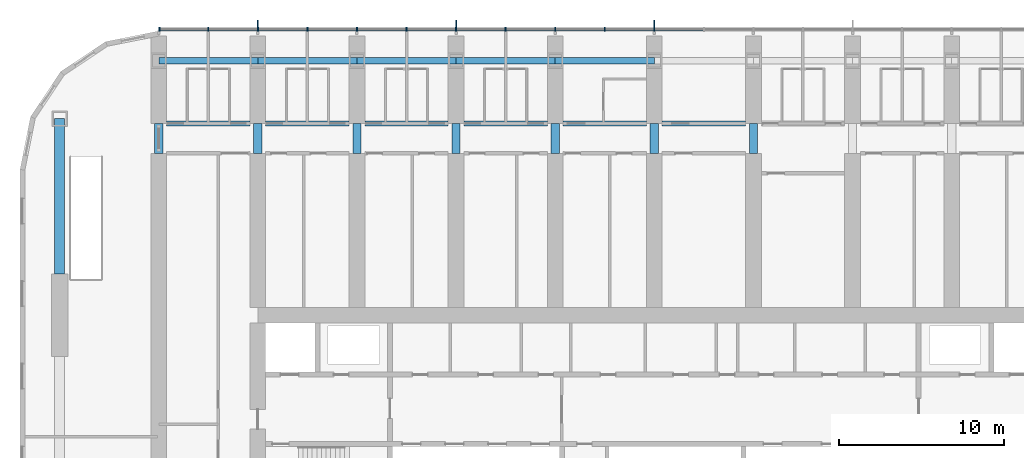
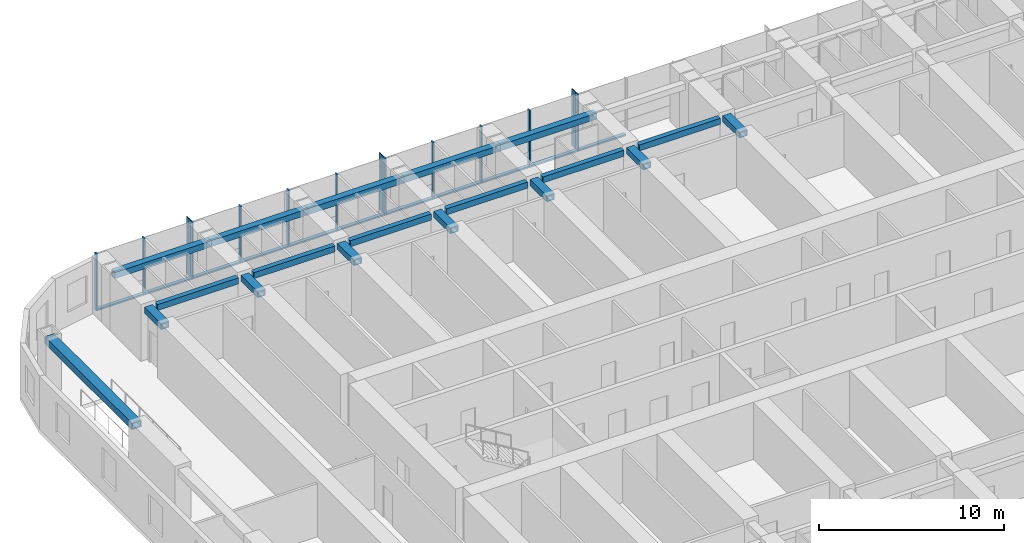
# One storey, part 4 of 22: 25 members, 19 beams, 1 element without a shape of its own.
"""IFC4 building model written with IfcOpenShell, lengths in metres."""

from ifc_helpers import new_model, si_unit, direction, frame, origin, origin_2d, place, context, subcontext, project, spatial, rectangle, hollow_rectangle, extrude, material, material_profile, profile_set, type_object, element, aggregate, save


model = new_model("IFC4")

# Units and contexts
model_context = context("Model", 3, precision=1e-05, world=origin(), true_north=direction((0.0, 1.0)))
body_context = subcontext(model_context, "Body", "Model", "MODEL_VIEW")
ifc_project = project(units=[si_unit("LENGTHUNIT", "METRE"), si_unit("AREAUNIT", "SQUARE_METRE"), si_unit("VOLUMEUNIT", "CUBIC_METRE"), si_unit("PLANEANGLEUNIT", "RADIAN"), si_unit("MASSUNIT", "GRAM", prefix="KILO")], contexts=[model_context])

# Site, building, storey
site_placement = place(None, origin())
site = spatial("IfcSite", under=ifc_project, at=site_placement, CompositionType="ELEMENT")
building_placement = place(site_placement, origin())
building = spatial("IfcBuilding", under=site, at=building_placement, Name="Orbita Commons", CompositionType="ELEMENT")
storey_placement = place(building_placement, frame((0.0, 0.0, 118.14990234375)))
storey = spatial("IfcBuildingStorey", under=building, at=storey_placement, Name="L29", CompositionType="ELEMENT", Elevation=118.14990234375)

# Curtain wall, members
ifc_material_1 = material(Name="Anodised aluminium frame, pale silver", Category="aluminium")
curtain_wall_type = type_object("IfcCurtainWallType", Name="Unitised curtain wall CW-T, vision and spandrel", PredefinedType="NOTDEFINED", material=ifc_material_1)
curtain_wall_placement = place(storey_placement, origin())
curtain_wall = element("IfcCurtainWall", 1, at=curtain_wall_placement, inside=storey, type_object=curtain_wall_type, Name="Curtain wall north L29", PredefinedType="NOTDEFINED")
ifc_material_2 = material(Name="Anodised aluminium, pale silver", Category="aluminium")
ifc_material_profile_1 = material_profile(ifc_material_2, rectangle(XDim=0.080078125, YDim=0.219970703125, at=origin_2d()), Name="AL 80x220")
ifc_profile_set_1 = profile_set([ifc_material_profile_1], Name="Anodised aluminium, pale silver")
member_type_1 = type_object("IfcMemberType", Name="Curtain wall mullion 80x220", PredefinedType="MULLION", material=ifc_profile_set_1)
member_1_placement = place(storey_placement, frame((42.0, 55.510009765625, -0.25), z_axis=(0.0, 0.0, 1.0), x_axis=(-1.0, 0.0, 0.0)))
member_1 = element("IfcMember", 2, at=member_1_placement, type_object=member_type_1, Name="Mullion 9 CW-L29-N", PredefinedType="MULLION", context=body_context, shape_type="SweptSolid", body=[
    extrude(rectangle(XDim=0.080078125, YDim=0.219970703125, at=origin_2d()), origin(), (0.0, 0.0, 1.0), 3.75),
])
member_2_placement = place(storey_placement, frame((39.0, 55.510009765625, -0.25), z_axis=(0.0, 0.0, 1.0), x_axis=(-1.0, 0.0, 0.0)))
member_2 = element("IfcMember", 3, at=member_2_placement, type_object=member_type_1, Name="Mullion 10 CW-L29-N", PredefinedType="MULLION", context=body_context, shape_type="SweptSolid", body=[
    extrude(rectangle(XDim=0.080078125, YDim=0.219970703125, at=origin_2d()), origin(), (0.0, 0.0, 1.0), 3.75),
])
member_3_placement = place(storey_placement, frame((36.0, 55.510009765625, -0.25), z_axis=(0.0, 0.0, 1.0), x_axis=(-1.0, 0.0, 0.0)))
member_3 = element("IfcMember", 4, at=member_3_placement, type_object=member_type_1, Name="Mullion 11 CW-L29-N", PredefinedType="MULLION", context=body_context, shape_type="SweptSolid", body=[
    extrude(rectangle(XDim=0.080078125, YDim=0.219970703125, at=origin_2d()), origin(), (0.0, 0.0, 1.0), 3.75),
])
member_4_placement = place(storey_placement, frame((33.0, 55.510009765625, -0.25), z_axis=(0.0, 0.0, 1.0), x_axis=(-1.0, 0.0, 0.0)))
member_4 = element("IfcMember", 5, at=member_4_placement, type_object=member_type_1, Name="Mullion 12 CW-L29-N", PredefinedType="MULLION", context=body_context, shape_type="SweptSolid", body=[
    extrude(rectangle(XDim=0.080078125, YDim=0.219970703125, at=origin_2d()), origin(), (0.0, 0.0, 1.0), 3.75),
])
member_5_placement = place(storey_placement, frame((30.0, 55.510009765625, -0.25), z_axis=(0.0, 0.0, 1.0), x_axis=(-1.0, 0.0, 0.0)))
member_5 = element("IfcMember", 6, at=member_5_placement, type_object=member_type_1, Name="Mullion 13 CW-L29-N", PredefinedType="MULLION", context=body_context, shape_type="SweptSolid", body=[
    extrude(rectangle(XDim=0.080078125, YDim=0.219970703125, at=origin_2d()), origin(), (0.0, 0.0, 1.0), 3.75),
])
member_6_placement = place(storey_placement, frame((27.0, 55.510009765625, -0.25), z_axis=(0.0, 0.0, 1.0), x_axis=(-1.0, 0.0, 0.0)))
member_6 = element("IfcMember", 7, at=member_6_placement, type_object=member_type_1, Name="Mullion 14 CW-L29-N", PredefinedType="MULLION", context=body_context, shape_type="SweptSolid", body=[
    extrude(rectangle(XDim=0.080078125, YDim=0.219970703125, at=origin_2d()), origin(), (0.0, 0.0, 1.0), 3.75),
])
member_7_placement = place(storey_placement, frame((24.0, 55.510009765625, -0.25), z_axis=(0.0, 0.0, 1.0), x_axis=(-1.0, 0.0, 0.0)))
member_7 = element("IfcMember", 8, at=member_7_placement, type_object=member_type_1, Name="Mullion 15 CW-L29-N", PredefinedType="MULLION", context=body_context, shape_type="SweptSolid", body=[
    extrude(rectangle(XDim=0.080078125, YDim=0.219970703125, at=origin_2d()), origin(), (0.0, 0.0, 1.0), 3.75),
])
member_8_placement = place(storey_placement, frame((21.0, 55.510009765625, -0.25), z_axis=(0.0, 0.0, 1.0), x_axis=(-1.0, 0.0, 0.0)))
member_8 = element("IfcMember", 9, at=member_8_placement, type_object=member_type_1, Name="Mullion 16 CW-L29-N", PredefinedType="MULLION", context=body_context, shape_type="SweptSolid", body=[
    extrude(rectangle(XDim=0.080078125, YDim=0.219970703125, at=origin_2d()), origin(), (0.0, 0.0, 1.0), 3.75),
])
member_9_placement = place(storey_placement, frame((18.0, 55.510009765625, -0.25), z_axis=(0.0, 0.0, 1.0), x_axis=(-1.0, 0.0, 0.0)))
member_9 = element("IfcMember", 10, at=member_9_placement, type_object=member_type_1, Name="Mullion 17 CW-L29-N", PredefinedType="MULLION", context=body_context, shape_type="SweptSolid", body=[
    extrude(rectangle(XDim=0.080078125, YDim=0.219970703125, at=origin_2d()), origin(), (0.0, 0.0, 1.0), 3.75),
])
member_10_placement = place(storey_placement, frame((15.0, 55.510009765625, -0.25), z_axis=(0.0, 0.0, 1.0), x_axis=(-1.0, 0.0, 0.0)))
member_10 = element("IfcMember", 11, at=member_10_placement, type_object=member_type_1, Name="Mullion 18 CW-L29-N", PredefinedType="MULLION", context=body_context, shape_type="SweptSolid", body=[
    extrude(rectangle(XDim=0.080078125, YDim=0.219970703125, at=origin_2d()), origin(), (0.0, 0.0, 1.0), 3.75),
])
member_11_placement = place(storey_placement, frame((12.0400390625, 55.510009765625, -0.25), z_axis=(0.0, 0.0, 1.0), x_axis=(-1.0, 0.0, 0.0)))
member_11 = element("IfcMember", 12, at=member_11_placement, type_object=member_type_1, Name="Mullion 19 CW-L29-N", PredefinedType="MULLION", context=body_context, shape_type="SweptSolid", body=[
    extrude(rectangle(XDim=0.080078125, YDim=0.219970703125, at=origin_2d()), origin(), (0.0, 0.0, 1.0), 3.75),
])
ifc_material_3 = material(Name="Anodised aluminium, pale silver", Category="aluminium")
ifc_material_profile_2 = material_profile(ifc_material_3, rectangle(XDim=0.219970703125, YDim=0.10009765625, at=origin_2d()), Name="AL 220x100")
ifc_profile_set_2 = profile_set([ifc_material_profile_2], Name="Anodised aluminium, pale silver")
member_type_2 = type_object("IfcMemberType", Name="Curtain wall stack transom 220x100", PredefinedType="USERDEFINED", material=ifc_profile_set_2)
member_12_placement = place(storey_placement, frame((44.9599609375, 55.510009765625, -0.199951171875), z_axis=(-1.0, 0.0, 0.0), x_axis=(0.0, -1.0, 0.0)))
member_12 = element("IfcMember", 13, at=member_12_placement, type_object=member_type_2, Name="Transom 8.1 CW-L29-N", ObjectType="TRANSOM", PredefinedType="USERDEFINED", context=body_context, shape_type="SweptSolid", body=[
    extrude(rectangle(XDim=0.219970703125, YDim=0.10009765625, at=origin_2d()), origin(), (0.0, 0.0, 1.0), 2.919921875),
])
member_13_placement = place(storey_placement, frame((41.9599609375, 55.510009765625, -0.199951171875), z_axis=(-1.0, 0.0, 0.0), x_axis=(0.0, -1.0, 0.0)))
member_13 = element("IfcMember", 14, at=member_13_placement, type_object=member_type_2, Name="Transom 9.1 CW-L29-N", ObjectType="TRANSOM", PredefinedType="USERDEFINED", context=body_context, shape_type="SweptSolid", body=[
    extrude(rectangle(XDim=0.219970703125, YDim=0.10009765625, at=origin_2d()), origin(), (0.0, 0.0, 1.0), 2.919921875),
])
member_14_placement = place(storey_placement, frame((38.9599609375, 55.510009765625, -0.199951171875), z_axis=(-1.0, 0.0, 0.0), x_axis=(0.0, -1.0, 0.0)))
member_14 = element("IfcMember", 15, at=member_14_placement, type_object=member_type_2, Name="Transom 10.1 CW-L29-N", ObjectType="TRANSOM", PredefinedType="USERDEFINED", context=body_context, shape_type="SweptSolid", body=[
    extrude(rectangle(XDim=0.219970703125, YDim=0.10009765625, at=origin_2d()), origin(), (0.0, 0.0, 1.0), 2.919921875),
])
member_15_placement = place(storey_placement, frame((35.9599609375, 55.510009765625, -0.199951171875), z_axis=(-1.0, 0.0, 0.0), x_axis=(0.0, -1.0, 0.0)))
member_15 = element("IfcMember", 16, at=member_15_placement, type_object=member_type_2, Name="Transom 11.1 CW-L29-N", ObjectType="TRANSOM", PredefinedType="USERDEFINED", context=body_context, shape_type="SweptSolid", body=[
    extrude(rectangle(XDim=0.219970703125, YDim=0.10009765625, at=origin_2d()), origin(), (0.0, 0.0, 1.0), 2.919921875),
])
member_16_placement = place(storey_placement, frame((32.9599609375, 55.510009765625, -0.199951171875), z_axis=(-1.0, 0.0, 0.0), x_axis=(0.0, -1.0, 0.0)))
member_16 = element("IfcMember", 17, at=member_16_placement, type_object=member_type_2, Name="Transom 12.1 CW-L29-N", ObjectType="TRANSOM", PredefinedType="USERDEFINED", context=body_context, shape_type="SweptSolid", body=[
    extrude(rectangle(XDim=0.219970703125, YDim=0.10009765625, at=origin_2d()), origin(), (0.0, 0.0, 1.0), 2.919921875),
])
member_17_placement = place(storey_placement, frame((29.9599609375, 55.510009765625, -0.199951171875), z_axis=(-1.0, 0.0, 0.0), x_axis=(0.0, -1.0, 0.0)))
member_17 = element("IfcMember", 18, at=member_17_placement, type_object=member_type_2, Name="Transom 13.1 CW-L29-N", ObjectType="TRANSOM", PredefinedType="USERDEFINED", context=body_context, shape_type="SweptSolid", body=[
    extrude(rectangle(XDim=0.219970703125, YDim=0.10009765625, at=origin_2d()), origin(), (0.0, 0.0, 1.0), 2.919921875),
])
member_18_placement = place(storey_placement, frame((26.9599609375, 55.510009765625, -0.199951171875), z_axis=(-1.0, 0.0, 0.0), x_axis=(0.0, -1.0, 0.0)))
member_18 = element("IfcMember", 19, at=member_18_placement, type_object=member_type_2, Name="Transom 14.1 CW-L29-N", ObjectType="TRANSOM", PredefinedType="USERDEFINED", context=body_context, shape_type="SweptSolid", body=[
    extrude(rectangle(XDim=0.219970703125, YDim=0.10009765625, at=origin_2d()), origin(), (0.0, 0.0, 1.0), 2.919921875),
])
member_19_placement = place(storey_placement, frame((23.9599609375, 55.510009765625, -0.199951171875), z_axis=(-1.0, 0.0, 0.0), x_axis=(0.0, -1.0, 0.0)))
member_19 = element("IfcMember", 20, at=member_19_placement, type_object=member_type_2, Name="Transom 15.1 CW-L29-N", ObjectType="TRANSOM", PredefinedType="USERDEFINED", context=body_context, shape_type="SweptSolid", body=[
    extrude(rectangle(XDim=0.219970703125, YDim=0.10009765625, at=origin_2d()), origin(), (0.0, 0.0, 1.0), 2.919921875),
])
member_20_placement = place(storey_placement, frame((20.9599609375, 55.510009765625, -0.199951171875), z_axis=(-1.0, 0.0, 0.0), x_axis=(0.0, -1.0, 0.0)))
member_20 = element("IfcMember", 21, at=member_20_placement, type_object=member_type_2, Name="Transom 16.1 CW-L29-N", ObjectType="TRANSOM", PredefinedType="USERDEFINED", context=body_context, shape_type="SweptSolid", body=[
    extrude(rectangle(XDim=0.219970703125, YDim=0.10009765625, at=origin_2d()), origin(), (0.0, 0.0, 1.0), 2.919921875),
])
member_21_placement = place(storey_placement, frame((17.9599609375, 55.510009765625, -0.199951171875), z_axis=(-1.0, 0.0, 0.0), x_axis=(0.0, -1.0, 0.0)))
member_21 = element("IfcMember", 22, at=member_21_placement, type_object=member_type_2, Name="Transom 17.1 CW-L29-N", ObjectType="TRANSOM", PredefinedType="USERDEFINED", context=body_context, shape_type="SweptSolid", body=[
    extrude(rectangle(XDim=0.219970703125, YDim=0.10009765625, at=origin_2d()), origin(), (0.0, 0.0, 1.0), 2.919921875),
])
member_22_placement = place(storey_placement, frame((14.9599609375, 55.510009765625, -0.199951171875), z_axis=(-1.0, 0.0, 0.0), x_axis=(0.0, -1.0, 0.0)))
member_22 = element("IfcMember", 23, at=member_22_placement, type_object=member_type_2, Name="Transom 18.1 CW-L29-N", ObjectType="TRANSOM", PredefinedType="USERDEFINED", context=body_context, shape_type="SweptSolid", body=[
    extrude(rectangle(XDim=0.219970703125, YDim=0.10009765625, at=origin_2d()), origin(), (0.0, 0.0, 1.0), 2.8798828125),
])

# Beams
ifc_material_4 = material(Name="Steel ASTM A572 Gr 50 welded plate", Category="steel")
ifc_material_profile_3 = material_profile(ifc_material_4, hollow_rectangle(XDim=0.300048828125, YDim=0.39990234375, WallThickness=0.0400390625, at=origin_2d()), Name="BOX 400x300x40")
ifc_profile_set_3 = profile_set([ifc_material_profile_3], Name="Steel ASTM A572 Gr 50 welded plate")
beam_type_1 = type_object("IfcBeamType", Name="Steel corridor link BOX 400x300x40", PredefinedType="BEAM", material=ifc_profile_set_3)
for number, where, z_axis, x_axis, name in (
    (24, (12.47509765625, 49.800048828125, 3.300048828125), (1.0, 0.0, 0.0), (0.0, 1.0, 0.0), "Corridor beam NB 3-4 L29"),
    (25, (18.47509765625, 49.800048828125, 3.300048828125), (1.0, 0.0, 0.0), (0.0, 1.0, 0.0), "Corridor beam NB 4-5 L29"),
    (26, (24.47509765625, 49.800048828125, 3.300048828125), (1.0, 0.0, 0.0), (0.0, 1.0, 0.0), "Corridor beam NB 5-6 L29"),
    (27, (30.47509765625, 49.800048828125, 3.300048828125), (1.0, 0.0, 0.0), (0.0, 1.0, 0.0), "Corridor beam NB 6-7 L29"),
    (28, (36.47509765625, 49.800048828125, 3.300048828125), (1.0, 0.0, 0.0), (0.0, 1.0, 0.0), "Corridor beam NB 7-8 L29"),
    (29, (42.47509765625, 49.800048828125, 3.300048828125), (1.0, 0.0, 0.0), (0.0, 1.0, 0.0), "Corridor beam NB 8-9 L29"),
):
    element("IfcBeam", number, at=place(storey_placement, frame(where, z_axis=z_axis, x_axis=x_axis)), inside=storey, type_object=beam_type_1, Name=name, PredefinedType="BEAM", context=body_context, shape_type="SweptSolid", body=[
        extrude(hollow_rectangle(XDim=0.300048828125, YDim=0.39990234375, WallThickness=0.0400390625, at=origin_2d()), origin(), (0.0, 0.0, 1.0), 5.0498046875),
    ])
ifc_material_5 = material(Name="Steel ASTM A572 Gr 50 welded plate", Category="steel")
ifc_material_profile_4 = material_profile(ifc_material_5, hollow_rectangle(XDim=0.5, YDim=0.39990234375, WallThickness=0.050048828125, at=origin_2d()), Name="BOX 400x500x50")
ifc_profile_set_4 = profile_set([ifc_material_profile_4], Name="Steel ASTM A572 Gr 50 welded plate")
beam_type_2 = type_object("IfcBeamType", Name="Steel coupling link BOX 400x500x50", PredefinedType="LINTEL", material=ifc_profile_set_4)
for number, where, z_axis, x_axis, name in (
    (30, (12.0, 48.0, 3.300048828125), (0.0, 1.0, 0.0), (-1.0, 0.0, 0.0), "Coupling beam 3 north L29"),
    (31, (18.0, 48.0, 3.300048828125), (0.0, 1.0, 0.0), (-1.0, 0.0, 0.0), "Coupling beam 4 north L29"),
    (32, (24.0, 48.0, 3.300048828125), (0.0, 1.0, 0.0), (-1.0, 0.0, 0.0), "Coupling beam 5 north L29"),
    (33, (30.0, 48.0, 3.300048828125), (0.0, 1.0, 0.0), (-1.0, 0.0, 0.0), "Coupling beam 6 north L29"),
    (34, (36.0, 48.0, 3.300048828125), (0.0, 1.0, 0.0), (-1.0, 0.0, 0.0), "Coupling beam 7 north L29"),
    (35, (42.0, 48.0, 3.300048828125), (0.0, 1.0, 0.0), (-1.0, 0.0, 0.0), "Coupling beam 8 north L29"),
    (36, (48.0, 48.0, 3.300048828125), (0.0, 1.0, 0.0), (-1.0, 0.0, 0.0), "Coupling beam 9 north L29"),
):
    element("IfcBeam", number, at=place(storey_placement, frame(where, z_axis=z_axis, x_axis=x_axis)), inside=storey, type_object=beam_type_2, Name=name, PredefinedType="LINTEL", context=body_context, shape_type="SweptSolid", body=[
        extrude(hollow_rectangle(XDim=0.5, YDim=0.39990234375, WallThickness=0.050048828125, at=origin_2d()), origin(), (0.0, 0.0, 1.0), 1.800048828125),
    ])
ifc_material_6 = material(Name="Steel ASTM A572 Gr 50 welded plate", Category="steel")
ifc_material_profile_5 = material_profile(ifc_material_6, hollow_rectangle(XDim=0.60009765625, YDim=0.449951171875, WallThickness=0.06005859375, at=origin_2d()), Name="BOX 450x600x60")
ifc_profile_set_5 = profile_set([ifc_material_profile_5], Name="Steel ASTM A572 Gr 50 welded plate")
beam_type_3 = type_object("IfcBeamType", Name="Steel end frame link BOX 450x600x60", PredefinedType="BEAM", material=ifc_profile_set_5)
beam_placement = place(storey_placement, frame((6.0, 40.699951171875, 3.275146484375), z_axis=(0.0, 1.0, 0.0), x_axis=(-1.0, 0.0, 0.0)))
element("IfcBeam", 37, at=beam_placement, inside=storey, type_object=beam_type_3, Name="End frame beam 2 D-E L29", PredefinedType="BEAM", context=body_context, shape_type="SweptSolid", body=[
    extrude(hollow_rectangle(XDim=0.60009765625, YDim=0.449951171875, WallThickness=0.06005859375, at=origin_2d()), origin(), (0.0, 0.0, 1.0), 9.400146484375),
])
ifc_material_7 = material(Name="Steel ASTM A572 Gr 50 welded plate", Category="steel")
ifc_material_profile_6 = material_profile(ifc_material_7, hollow_rectangle(XDim=0.39990234375, YDim=0.39990234375, WallThickness=0.0400390625, at=origin_2d()), Name="BOX 400x400x40")
ifc_profile_set_6 = profile_set([ifc_material_profile_6], Name="Steel ASTM A572 Gr 50 welded plate")
beam_type_4 = type_object("IfcBeamType", Name="Steel spandrel BOX 400x400x40", PredefinedType="SPANDREL", material=ifc_profile_set_6)
for number, where, z_axis, x_axis, name in (
    (38, (12.0, 53.60009765625, 3.300048828125), (1.0, 0.0, 0.0), (0.0, 1.0, 0.0), "Spandrel beam E 3-4 L29"),
    (39, (18.0, 53.60009765625, 3.300048828125), (1.0, 0.0, 0.0), (0.0, 1.0, 0.0), "Spandrel beam E 4-5 L29"),
    (40, (24.0, 53.60009765625, 3.300048828125), (1.0, 0.0, 0.0), (0.0, 1.0, 0.0), "Spandrel beam E 5-6 L29"),
    (41, (30.0, 53.60009765625, 3.300048828125), (1.0, 0.0, 0.0), (0.0, 1.0, 0.0), "Spandrel beam E 6-7 L29"),
    (42, (36.0, 53.60009765625, 3.300048828125), (1.0, 0.0, 0.0), (0.0, 1.0, 0.0), "Spandrel beam E 7-8 L29"),
):
    element("IfcBeam", number, at=place(storey_placement, frame(where, z_axis=z_axis, x_axis=x_axis)), inside=storey, type_object=beam_type_4, Name=name, PredefinedType="SPANDREL", context=body_context, shape_type="SweptSolid", body=[
        extrude(hollow_rectangle(XDim=0.39990234375, YDim=0.39990234375, WallThickness=0.0400390625, at=origin_2d()), origin(), (0.0, 0.0, 1.0), 6.0),
    ])

# Member
ifc_material_8 = material(Name="Anodised aluminium, pale silver", Category="aluminium")
ifc_material_profile_7 = material_profile(ifc_material_8, rectangle(XDim=0.06005859375, YDim=0.449951171875, at=origin_2d()), Name="FIN 60x450")
ifc_profile_set_7 = profile_set([ifc_material_profile_7], Name="Anodised aluminium, pale silver")
member_type_3 = type_object("IfcMemberType", Name="Vertical fin 60x450 pale aluminium", PredefinedType="USERDEFINED", material=ifc_profile_set_7)
member_23_placement = place(storey_placement, frame((42.0, 55.844970703125, -0.25), z_axis=(0.0, 0.0, 1.0), x_axis=(-1.0, 0.0, 0.0)))
member_23 = element("IfcMember", 43, at=member_23_placement, type_object=member_type_3, Name="Fin 9 CW-L29-N", ObjectType="FIN", PredefinedType="USERDEFINED", context=body_context, shape_type="SweptSolid", body=[
    extrude(rectangle(XDim=0.06005859375, YDim=0.449951171875, at=origin_2d()), origin(), (0.0, 0.0, 1.0), 3.75),
])

member_24_placement = place(storey_placement, frame((30.0, 55.844970703125, -0.25), z_axis=(0.0, 0.0, 1.0), x_axis=(-1.0, 0.0, 0.0)))
member_24 = element("IfcMember", 44, at=member_24_placement, type_object=member_type_3, Name="Fin 13 CW-L29-N", ObjectType="FIN", PredefinedType="USERDEFINED", context=body_context, shape_type="SweptSolid", body=[
    extrude(rectangle(XDim=0.06005859375, YDim=0.449951171875, at=origin_2d()), origin(), (0.0, 0.0, 1.0), 3.75),
])

member_25_placement = place(storey_placement, frame((18.0, 55.844970703125, -0.25), z_axis=(0.0, 0.0, 1.0), x_axis=(-1.0, 0.0, 0.0)))
member_25 = element("IfcMember", 45, at=member_25_placement, type_object=member_type_3, Name="Fin 17 CW-L29-N", ObjectType="FIN", PredefinedType="USERDEFINED", context=body_context, shape_type="SweptSolid", body=[
    extrude(rectangle(XDim=0.06005859375, YDim=0.449951171875, at=origin_2d()), origin(), (0.0, 0.0, 1.0), 3.75),
])

aggregate(curtain_wall, [member_1, member_23, member_2, member_3, member_4, member_5, member_24, member_6, member_7, member_8, member_9, member_25, member_10, member_11, member_12, member_13, member_14, member_15, member_16, member_17, member_18, member_19, member_20, member_21, member_22])

save(model, "model.ifc")
